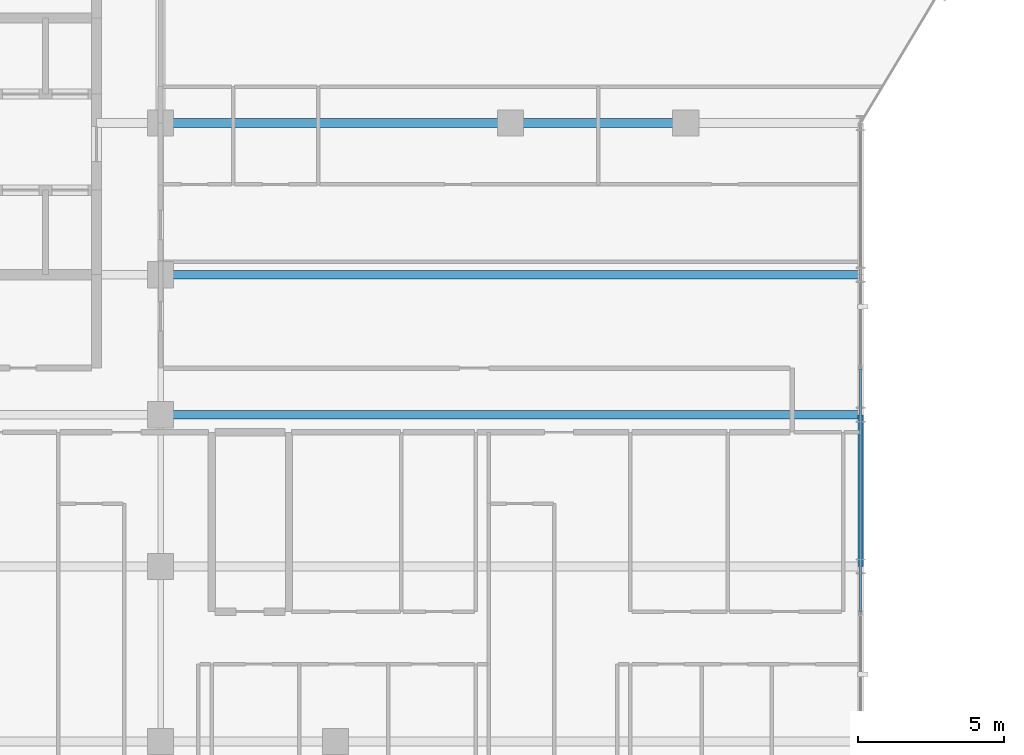
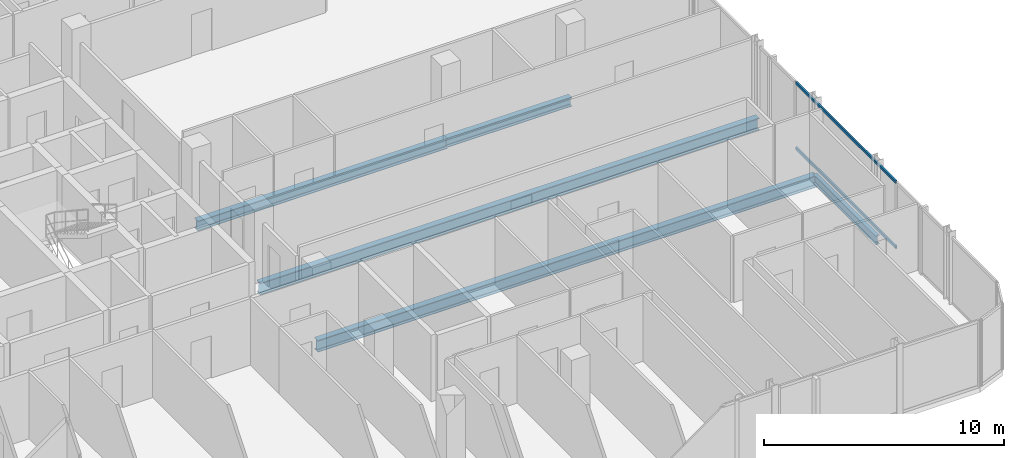
# One storey, part 12 of 31: 5 beams, 2 members, 1 element without a shape of its own.
"""IFC4 building model written with IfcOpenShell, lengths in metres."""

from ifc_helpers import new_model, si_unit, direction, frame, origin, origin_2d, place, context, subcontext, project, spatial, hollow_rectangle, i_section, extrude, material, layer, layer_set, material_profile, profile_set, type_object, element, aggregate, save


model = new_model("IFC4")

# Units and contexts
model_context = context("Model", 3, precision=1e-05, world=origin(), true_north=direction((0.0, 1.0)))
body_context = subcontext(model_context, "Body", "Model", "MODEL_VIEW")
ifc_project = project(units=[si_unit("LENGTHUNIT", "METRE"), si_unit("AREAUNIT", "SQUARE_METRE"), si_unit("VOLUMEUNIT", "CUBIC_METRE"), si_unit("PLANEANGLEUNIT", "RADIAN"), si_unit("MASSUNIT", "GRAM", prefix="KILO")], contexts=[model_context])

# Site, building, storey
site_placement = place(None, origin())
site = spatial("IfcSite", under=ifc_project, at=site_placement, CompositionType="ELEMENT")
building_placement = place(site_placement, origin())
building = spatial("IfcBuilding", under=site, at=building_placement, Name="Keshet Zoharim Tower", CompositionType="ELEMENT")
storey_placement = place(building_placement, frame((0.0, 0.0, 140.89990234375)))
storey = spatial("IfcBuildingStorey", under=building, at=storey_placement, Name="L34", CompositionType="ELEMENT", Elevation=140.89990234375)

# Beams
ifc_material_1 = material(Name="Steel S355", Category="steel")
ifc_material_profile_1 = material_profile(ifc_material_1, i_section(OverallWidth=0.300048828125, OverallDepth=0.60009765625, WebThickness=0.015380859375, FlangeThickness=0.030029296875, FilletRadius=0.027099609375, at=origin_2d()), Name="HEB600")
ifc_profile_set_1 = profile_set([ifc_material_profile_1], Name="Steel S355")
beam_type_1 = type_object("IfcBeamType", Name="BM-LNG-HB600", PredefinedType="BEAM", material=ifc_profile_set_1)
for number, where, z_axis, x_axis, name in (
    (1, (33.0, 17.89990234375, -0.614990234375), (1.0, 0.0, 0.0), (0.0, 1.0, 0.0), "L34 Primary Girder X-013"),
    (2, (33.0, 22.699951171875, -0.614990234375), (1.0, 0.0, 0.0), (0.0, 1.0, 0.0), "L34 Primary Girder X-014"),
):
    element("IfcBeam", number, at=place(storey_placement, frame(where, z_axis=z_axis, x_axis=x_axis)), inside=storey, type_object=beam_type_1, Name=name, PredefinedType="BEAM", context=body_context, shape_type="SweptSolid", body=[
        extrude(i_section(OverallWidth=0.300048828125, OverallDepth=0.60009765625, WebThickness=0.015380859375, FlangeThickness=0.030029296875, FilletRadius=0.027099609375, at=origin_2d()), origin(), (0.0, 0.0, 1.0), 24.0),
    ])
ifc_material_profile_2 = material_profile(ifc_material_1, i_section(OverallWidth=0.300048828125, OverallDepth=0.5, WebThickness=0.014404296875, FlangeThickness=0.028076171875, FilletRadius=0.027099609375, at=origin_2d()), Name="HEB500")
ifc_profile_set_2 = profile_set([ifc_material_profile_2], Name="Steel S355")
beam_type_2 = type_object("IfcBeamType", Name="BM-MED-HB500", PredefinedType="BEAM", material=ifc_profile_set_2)
beam_1_placement = place(storey_placement, frame((33.0, 27.89990234375, -0.56494140625), z_axis=(1.0, 0.0, 0.0), x_axis=(0.0, 1.0, 0.0)))
element("IfcBeam", 3, at=beam_1_placement, inside=storey, type_object=beam_type_2, Name="L34 Primary Girder X-015", PredefinedType="BEAM", context=body_context, shape_type="SweptSolid", body=[
    extrude(i_section(OverallWidth=0.300048828125, OverallDepth=0.5, WebThickness=0.014404296875, FlangeThickness=0.028076171875, FilletRadius=0.027099609375, at=origin_2d()), origin(), (0.0, 0.0, 1.0), 12.0),
])
ifc_material_profile_3 = material_profile(ifc_material_1, i_section(OverallWidth=0.18994140625, OverallDepth=0.449951171875, WebThickness=0.009521484375, FlangeThickness=0.0146484375, FilletRadius=0.02099609375, at=origin_2d()), Name="IPE450")
ifc_profile_set_3 = profile_set([ifc_material_profile_3], Name="Steel S355")
beam_type_3 = type_object("IfcBeamType", Name="BM-PRI-IP450", PredefinedType="BEAM", material=ifc_profile_set_3)
beam_2_placement = place(storey_placement, frame((57.0, 12.699951171875, -0.539794921875), z_axis=(0.0, 1.0, 0.0), x_axis=(-1.0, 0.0, 0.0)))
element("IfcBeam", 4, at=beam_2_placement, inside=storey, type_object=beam_type_3, Name="L34 Primary Girder Y-014", PredefinedType="BEAM", context=body_context, shape_type="SweptSolid", body=[
    extrude(i_section(OverallWidth=0.18994140625, OverallDepth=0.449951171875, WebThickness=0.009521484375, FlangeThickness=0.0146484375, FilletRadius=0.02099609375, at=origin_2d()), origin(), (0.0, 0.0, 1.0), 5.199951171875),
])
ifc_material_profile_4 = material_profile(ifc_material_1, i_section(OverallWidth=0.300048828125, OverallDepth=0.449951171875, WebThickness=0.013916015625, FlangeThickness=0.02587890625, FilletRadius=0.027099609375, at=origin_2d()), Name="HEB450")
ifc_profile_set_4 = profile_set([ifc_material_profile_4], Name="Steel S355")
beam_type_4 = type_object("IfcBeamType", Name="BM-WEB-HB450", PredefinedType="BEAM", material=ifc_profile_set_4)
beam_3_placement = place(storey_placement, frame((45.0, 27.89990234375, -0.539794921875), z_axis=(1.0, 0.0, 0.0), x_axis=(0.0, 1.0, 0.0)))
element("IfcBeam", 5, at=beam_3_placement, inside=storey, type_object=beam_type_4, Name="L34 Primary Girder X-016", PredefinedType="BEAM", context=body_context, shape_type="SweptSolid", body=[
    extrude(i_section(OverallWidth=0.300048828125, OverallDepth=0.449951171875, WebThickness=0.013916015625, FlangeThickness=0.02587890625, FilletRadius=0.027099609375, at=origin_2d()), origin(), (0.0, 0.0, 1.0), 6.0),
])

# Curtain wall, members
ifc_material_2 = material(Name="Aluminium 6063-T6", Category="aluminium")
ifc_layer = layer(ifc_material_2, 0.159912109375)
ifc_layer_set = layer_set([ifc_layer], Name="Aluminium 6063-T6")
curtain_wall_type = type_object("IfcCurtainWallType", Name="CW-SYS-03", PredefinedType="NOTDEFINED", material=ifc_layer_set)
curtain_wall_placement = place(storey_placement, origin())
curtain_wall = element("IfcCurtainWall", 6, at=curtain_wall_placement, inside=storey, type_object=curtain_wall_type, Name="L34 Unitised Curtain Wall 19", PredefinedType="NOTDEFINED")
ifc_material_profile_5 = material_profile(ifc_material_2, hollow_rectangle(XDim=0.080078125, YDim=0.139892578125, WallThickness=0.00390625, at=origin_2d()), Name="TRN-80x140")
ifc_profile_set_5 = profile_set([ifc_material_profile_5], Name="Aluminium 6063-T6")
member_type = type_object("IfcMemberType", Name="CWT-T14", PredefinedType="USERDEFINED", material=ifc_profile_set_5)
member_1_placement = place(storey_placement, frame((57.0, 19.465087890625, 0.03515625), z_axis=(0.0, -1.0, 0.0), x_axis=(1.0, 0.0, 0.0)))
member_1 = element("IfcMember", 7, at=member_1_placement, type_object=member_type, Name="CW-03 transom 2.1", ObjectType="TRANSOM", PredefinedType="USERDEFINED", context=body_context, shape_type="SweptSolid", body=[
    extrude(hollow_rectangle(XDim=0.080078125, YDim=0.139892578125, WallThickness=0.00390625, at=origin_2d()), origin(), (0.0, 0.0, 1.0), 8.330078125),
])
member_2_placement = place(storey_placement, frame((57.0, 19.465087890625, 3.35009765625), z_axis=(0.0, -1.0, 0.0), x_axis=(1.0, 0.0, 0.0)))
member_2 = element("IfcMember", 8, at=member_2_placement, type_object=member_type, Name="CW-03 transom 2.2", ObjectType="TRANSOM", PredefinedType="USERDEFINED", context=body_context, shape_type="SweptSolid", body=[
    extrude(hollow_rectangle(XDim=0.080078125, YDim=0.139892578125, WallThickness=0.00390625, at=origin_2d()), origin(), (0.0, 0.0, 1.0), 8.330078125),
])
aggregate(curtain_wall, [member_1, member_2])

save(model, "model.ifc")
